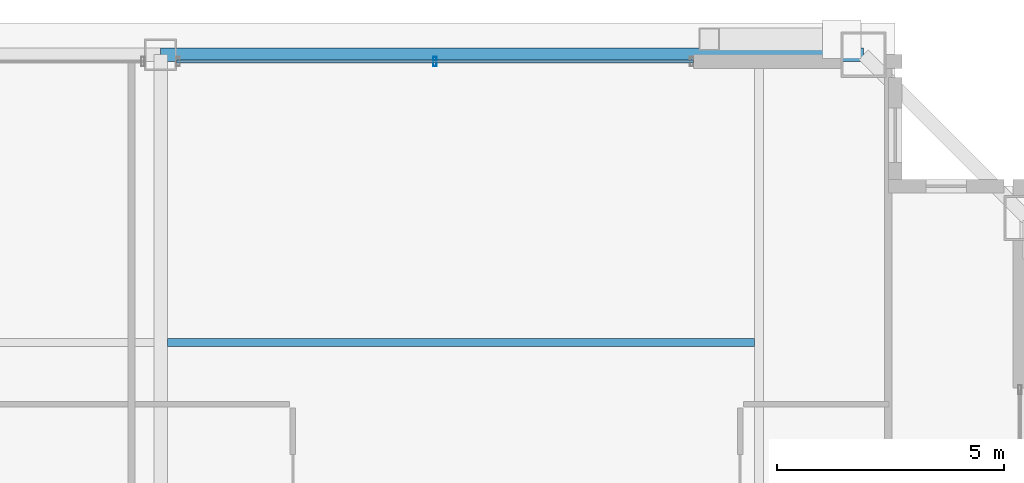
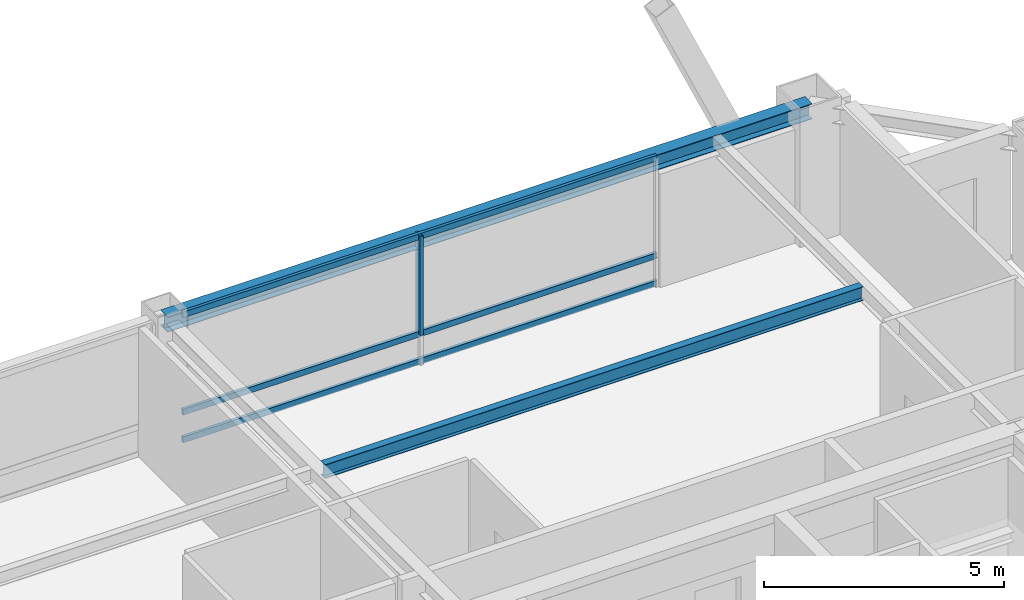
# One storey, part 17 of 33: 4 members, 2 beams, 1 element without a shape of its own.
"""IFC4 building model written with IfcOpenShell, lengths in metres."""

from ifc_helpers import new_model, si_unit, direction, frame, origin, origin_2d, place, context, subcontext, project, spatial, hollow_rectangle, i_section, extrude, source, transform, mapped, material, layer, layer_set, material_profile, profile_set, type_object, element, aggregate, save


model = new_model("IFC4")

# Units and contexts
model_context = context("Model", 3, precision=1e-05, world=origin(), true_north=direction((0.0, 1.0)))
body_context = subcontext(model_context, "Body", "Model", "MODEL_VIEW")
ifc_project = project(units=[si_unit("LENGTHUNIT", "METRE"), si_unit("AREAUNIT", "SQUARE_METRE"), si_unit("VOLUMEUNIT", "CUBIC_METRE"), si_unit("PLANEANGLEUNIT", "RADIAN"), si_unit("MASSUNIT", "GRAM", prefix="KILO"), si_unit("THERMODYNAMICTEMPERATUREUNIT", "KELVIN"), si_unit("POWERUNIT", "WATT")], contexts=[model_context])

# Site, building, storey
site_placement = place(None, origin())
site = spatial("IfcSite", under=ifc_project, at=site_placement, CompositionType="ELEMENT")
building_placement = place(site_placement, origin())
building = spatial("IfcBuilding", under=site, at=building_placement, Name="Yuzanri Waterfront Tower", CompositionType="ELEMENT")
storey_placement = place(building_placement, frame((0.0, 0.0, 321.699951171875)))
storey = spatial("IfcBuildingStorey", under=building, at=storey_placement, Name="L86", CompositionType="ELEMENT", Elevation=321.699951171875)

# Beams
ifc_material_1 = material(Name="Steel Q355B", Category="steel")
ifc_material_profile_1 = material_profile(ifc_material_1, i_section(OverallWidth=0.175048828125, OverallDepth=0.35009765625, WebThickness=0.007080078125, FlangeThickness=0.010986328125, at=origin_2d()), Name="HN 350x175x7x11")
ifc_profile_set_1 = profile_set([ifc_material_profile_1], Name="Steel Q355B")
beam_type_1 = type_object("IfcBeamType", Name="Floor Joist Q355B HN 350x175", PredefinedType="JOIST", material=ifc_profile_set_1)
shared_shape_1 = source(origin(), body_context, "Body", "SweptSolid", [
    extrude(i_section(OverallWidth=0.175048828125, OverallDepth=0.35009765625, WebThickness=0.007080078125, FlangeThickness=0.010986328125, at=origin_2d()), origin(), (0.0, 0.0, 1.0), 12.9501953125),
])
beam_1_placement = place(storey_placement, frame((37.14990234375, 38.550048828125, 3.10498046875), z_axis=(1.0, 0.0, 0.0), x_axis=(0.0, 1.0, 0.0)))
element("IfcBeam", 1, at=beam_1_placement, inside=storey, type_object=beam_type_1, Name="L86 North Bay Joist E", PredefinedType="JOIST", context=body_context, shape_type="MappedRepresentation", body=[
    mapped(shared_shape_1, transform((0.0, 0.0, 0.0), scale=1.0)),
])
ifc_material_2 = material(Name="Steel Q355B", Category="steel")
ifc_material_profile_2 = material_profile(ifc_material_2, i_section(OverallWidth=0.300048828125, OverallDepth=0.389892578125, WebThickness=0.010009765625, FlangeThickness=0.01611328125, at=origin_2d()), Name="HM 390x300x10x16")
ifc_profile_set_2 = profile_set([ifc_material_profile_2], Name="Steel Q355B")
beam_type_2 = type_object("IfcBeamType", Name="Perimeter Spandrel Q355B HM 390x300", PredefinedType="SPANDREL", material=ifc_profile_set_2)
shared_shape_2 = source(origin(), body_context, "Body", "SweptSolid", [
    extrude(i_section(OverallWidth=0.300048828125, OverallDepth=0.389892578125, WebThickness=0.010009765625, FlangeThickness=0.01611328125, at=origin_2d()), origin(), (0.0, 0.0, 1.0), 15.5),
])
beam_2_placement = place(storey_placement, frame((52.5, 44.89990234375, 3.0849609375), z_axis=(-1.0, 0.0, 0.0), x_axis=(0.0, -1.0, 0.0)))
element("IfcBeam", 2, at=beam_2_placement, inside=storey, type_object=beam_type_2, Name="L86 Perimeter Spandrel N3-N2", PredefinedType="SPANDREL", context=body_context, shape_type="MappedRepresentation", body=[
    mapped(shared_shape_2, transform((0.0, 0.0, 0.0), scale=1.0)),
])

# Curtain wall, members
ifc_material_3 = material(Name="Anodized Architectural Bronze", Category="metal")
ifc_layer = layer(ifc_material_3, 0.159912109375)
ifc_layer_set = layer_set([ifc_layer], Name="Anodized Architectural Bronze")
curtain_wall_type = type_object("IfcCurtainWallType", Name="Anodized Bronze High-Rise Penthouse High-Wind Unitized Curtain Wall 6900", PredefinedType="NOTDEFINED", material=ifc_layer_set)
curtain_wall_placement = place(storey_placement, origin())
curtain_wall = element("IfcCurtainWall", 3, at=curtain_wall_placement, inside=storey, type_object=curtain_wall_type, Name="L86 Curtain Wall CW-L86-NR", PredefinedType="NOTDEFINED")
ifc_material_4 = material(Name="Anodized Architectural Bronze", Category="metal")
ifc_material_profile_3 = material_profile(ifc_material_4, hollow_rectangle(XDim=0.074951171875, YDim=0.199951171875, WallThickness=0.00390625, at=origin_2d()), Name="CWM 75x200")
ifc_profile_set_3 = profile_set([ifc_material_profile_3], Name="Anodized Architectural Bronze")
member_type_1 = type_object("IfcMemberType", Name="Anodized Bronze Primary Curtain-Wall Mullion 75x200", PredefinedType="MULLION", material=ifc_profile_set_3)
shared_shape_3 = source(origin(), body_context, "Body", "SweptSolid", [
    extrude(hollow_rectangle(XDim=0.074951171875, YDim=0.199951171875, WallThickness=0.00390625, at=origin_2d()), origin(), (0.0, 0.0, 1.0), 2.52392578125),
])
member_1_placement = place(storey_placement, frame((43.050048828125, 44.75, 0.756103515625), z_axis=(0.0, 0.0, 1.0), x_axis=(1.0, 0.0, 0.0)))
member_1 = element("IfcMember", 4, at=member_1_placement, type_object=member_type_1, Name="CW-L86-NR Upper Mullion 01", PredefinedType="MULLION", context=body_context, shape_type="MappedRepresentation", body=[
    mapped(shared_shape_3, transform((0.0, 0.0, 0.0), scale=1.0)),
])
ifc_material_5 = material(Name="Anodized Architectural Bronze", Category="metal")
ifc_material_profile_4 = material_profile(ifc_material_5, hollow_rectangle(XDim=0.074951171875, YDim=0.14990234375, WallThickness=0.00390625, at=origin_2d()), Name="CWT 75x150")
ifc_profile_set_4 = profile_set([ifc_material_profile_4], Name="Anodized Architectural Bronze")
member_type_2 = type_object("IfcMemberType", Name="Anodized Bronze Primary Curtain-Wall Transom 75x150", PredefinedType="USERDEFINED", material=ifc_profile_set_4)
shared_shape_4 = source(origin(), body_context, "Body", "SweptSolid", [
    extrude(hollow_rectangle(XDim=0.074951171875, YDim=0.14990234375, WallThickness=0.00390625, at=origin_2d()), origin(), (0.0, 0.0, 1.0), 11.39990234375),
])
member_2_placement = place(storey_placement, frame((37.35009765625, 44.75, 0.050048828125), z_axis=(1.0, 0.0, 0.0), x_axis=(0.0, 1.0, 0.0)))
member_2 = element("IfcMember", 5, at=member_2_placement, type_object=member_type_2, Name="CW-L86-NR Transom 1", ObjectType="TRANSOM", PredefinedType="USERDEFINED", context=body_context, shape_type="MappedRepresentation", body=[
    mapped(shared_shape_4, transform((0.0, 0.0, 0.0), scale=1.0)),
])
member_3_placement = place(storey_placement, frame((37.35009765625, 44.75, 0.754150390625), z_axis=(1.0, 0.0, 0.0), x_axis=(0.0, 1.0, 0.0)))
member_3 = element("IfcMember", 6, at=member_3_placement, type_object=member_type_2, Name="CW-L86-NR Transom 2", ObjectType="TRANSOM", PredefinedType="USERDEFINED", context=body_context, shape_type="MappedRepresentation", body=[
    mapped(shared_shape_4, transform((0.0, 0.0, 0.0), scale=1.0)),
])
member_4_placement = place(storey_placement, frame((37.35009765625, 44.75, 3.22998046875), z_axis=(1.0, 0.0, 0.0), x_axis=(0.0, 1.0, 0.0)))
member_4 = element("IfcMember", 7, at=member_4_placement, type_object=member_type_2, Name="CW-L86-NR Transom 3", ObjectType="TRANSOM", PredefinedType="USERDEFINED", context=body_context, shape_type="MappedRepresentation", body=[
    mapped(shared_shape_4, transform((0.0, 0.0, 0.0), scale=1.0)),
])
aggregate(curtain_wall, [member_1, member_2, member_3, member_4])

save(model, "model.ifc")
